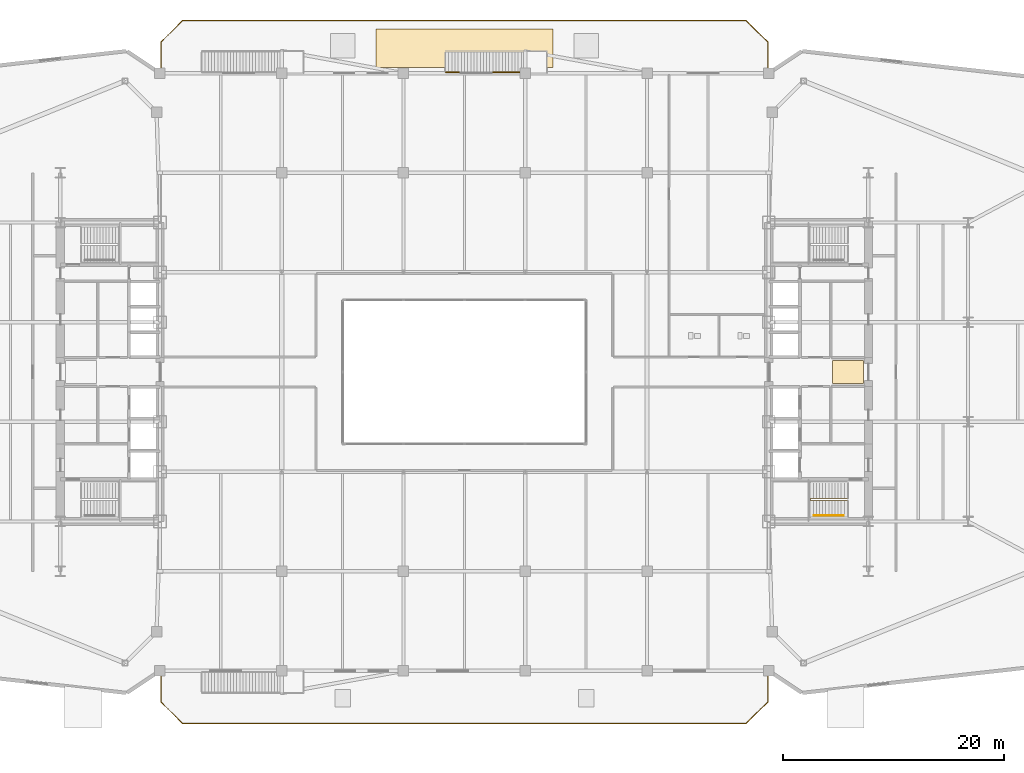
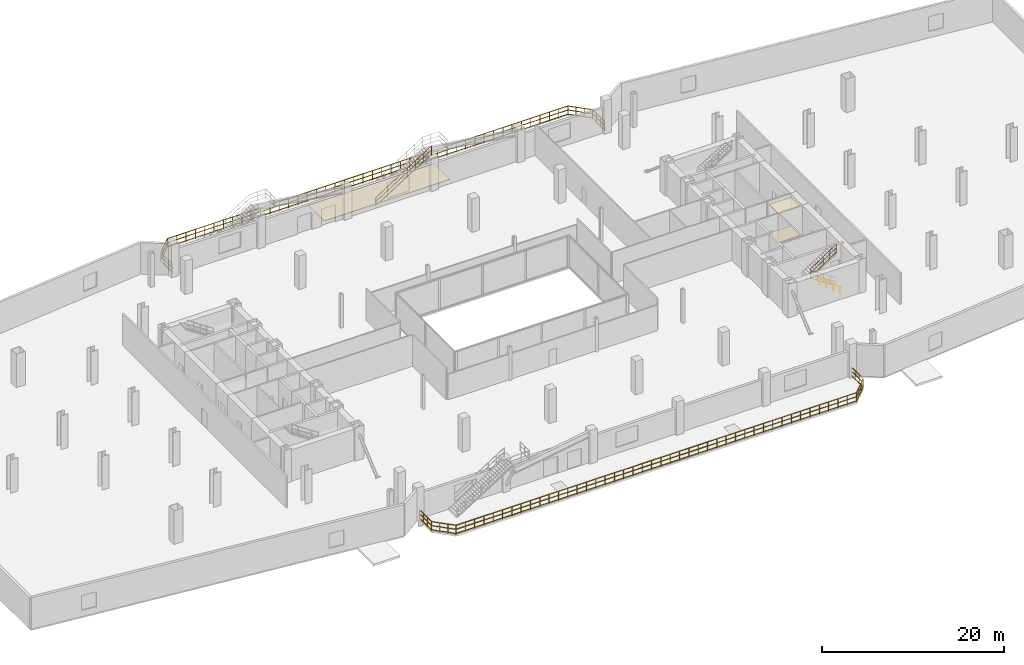
# One storey, part 23 of 25: 5 railings, 3 coverings.
"""IFC4 building model written with IfcOpenShell, lengths in metres."""

import ifcopenshell
import ifcopenshell.guid

model = None  # the IFC model being written
_history = None  # IfcOwnerHistory: only IFC2X3 demands one
_inside = {}  # id of a spatial element -> (the spatial element, [elements in it])
_under = {}  # id of a project, library or spatial element -> (it, [spatial elements below it])
_declared = {}  # id of a project -> (the project, [libraries it declares])
_typed = {}  # id of a type object -> (the type object, [elements of that type])
_made_of = {}  # id of a material, layer set ... -> (it, [elements and type objects made of it])


def new_model(schema):
    """Start an empty IFC model of exactly this schema.

    Asked for "IFC4X3", IfcOpenShell would pick the latest addendum, in which some entities
    have other attributes; the version numbers below select the first issue.
    IFC2X3 requires an IfcOwnerHistory on every rooted entity: one is made here for all.
    """
    global model, _history
    if schema == "IFC4X3":
        model = ifcopenshell.file(schema_version=(4, 3, 0, 0))
    else:
        model = ifcopenshell.file(schema=schema)
    _inside.clear()
    _under.clear()
    _declared.clear()
    _typed.clear()
    _made_of.clear()
    _history = None
    if model.schema == "IFC2X3":
        org = make("IfcOrganization", Name="unknown")
        user = make(
            "IfcPersonAndOrganization",
            ThePerson=make("IfcPerson", FamilyName="unknown"),
            TheOrganization=org,
        )
        app = make(
            "IfcApplication",
            ApplicationDeveloper=org,
            Version="unknown",
            ApplicationFullName="unknown",
            ApplicationIdentifier="unknown",
        )
        _history = make(
            "IfcOwnerHistory",
            OwningUser=user,
            OwningApplication=app,
            ChangeAction="ADDED",
            CreationDate=0,
        )
    return model


def make(cls, **values):
    """One entity of the class cls with the attributes given. An attribute that is None is left unset."""
    return model.create_entity(
        cls, **{name: value for name, value in values.items() if value is not None}
    )


def rooted(cls, **values):
    """An entity with a GlobalId (a new one), such as an element, a storey or a relation."""
    return make(cls, GlobalId=ifcopenshell.guid.new(), OwnerHistory=_history, **values)


def si_unit(unit_type, name, prefix=None):
    """IfcSIUnit, for example si_unit("LENGTHUNIT", "METRE", prefix="MILLI")."""
    return make("IfcSIUnit", UnitType=unit_type, Prefix=prefix, Name=name)


def assignment(units):
    """IfcUnitAssignment: the units of a project."""
    return None if units is None else make("IfcUnitAssignment", Units=units)


def point(xyz):
    """IfcCartesianPoint."""
    return None if xyz is None else make("IfcCartesianPoint", Coordinates=xyz)


def direction(xyz):
    """IfcDirection."""
    return None if xyz is None else make("IfcDirection", DirectionRatios=xyz)


def frame(location, z_axis=None, x_axis=None):
    """IfcAxis2Placement3D, a coordinate frame: its origin and axes. An axis left out is left unset."""
    return make(
        "IfcAxis2Placement3D",
        Location=point(location),
        Axis=direction(z_axis),
        RefDirection=direction(x_axis),
    )


def frame_2d(location, x_axis=None):
    """IfcAxis2Placement2D, a coordinate frame in the plane: its origin and x axis."""
    return make(
        "IfcAxis2Placement2D", Location=point(location), RefDirection=direction(x_axis)
    )


def origin():
    """The frame at (0, 0, 0) with its axes left unset."""
    return frame((0.0, 0.0, 0.0))


def origin_2d():
    """The frame at (0, 0) in the plane with its x axis left unset."""
    return frame_2d((0.0, 0.0))


def place(relative_to, where):
    """IfcLocalPlacement: puts the frame where relative to a parent placement (None: the world)."""
    return make(
        "IfcLocalPlacement", PlacementRelTo=relative_to, RelativePlacement=where
    )


def context(
    kind, dimensions, precision=None, world=None, true_north=None, identifier=None
):
    """IfcGeometricRepresentationContext, for example the 3D "Model" context."""
    return make(
        "IfcGeometricRepresentationContext",
        ContextIdentifier=identifier,
        ContextType=kind,
        CoordinateSpaceDimension=dimensions,
        Precision=precision,
        WorldCoordinateSystem=world,
        TrueNorth=true_north,
    )


def subcontext(parent, identifier, kind, view, scale=None):
    """IfcGeometricRepresentationSubContext, for example "Body" below "Model"."""
    return make(
        "IfcGeometricRepresentationSubContext",
        ContextIdentifier=identifier,
        ContextType=kind,
        ParentContext=parent,
        TargetScale=scale,
        TargetView=view,
    )


def project(units=None, contexts=None):
    """IfcProject with its units and contexts."""
    return rooted(
        "IfcProject",
        Name="project",
        RepresentationContexts=contexts,
        UnitsInContext=assignment(units),
    )


def spatial(cls, under=None, at=None, **own):
    """A site, building, storey or space (cls), placed at a placement, below another one or the project."""
    s = rooted(cls, ObjectPlacement=at, **own)
    if under is not None:
        _under.setdefault(under.id(), (under, []))[1].append(s)
    return s


def polyline(points):
    """IfcPolyline through the points."""
    return make("IfcPolyline", Points=[point(p) for p in points])


def profile(cls, at=None, kind="AREA", **sizes):
    """A parametric profile (cls). Its sizes go by their IFC names, for example OverallWidth=200.0."""
    return make(cls, ProfileType=kind, Position=at, **sizes)


def circle(**sizes):
    """IfcCircleProfileDef."""
    return profile("IfcCircleProfileDef", **sizes)


def outline(outer, holes=None, kind="AREA"):
    """IfcArbitraryClosedProfileDef: a profile drawn as a closed curve; with holes, ...WithVoids."""
    if holes is None:
        return make("IfcArbitraryClosedProfileDef", ProfileType=kind, OuterCurve=outer)
    return make(
        "IfcArbitraryProfileDefWithVoids",
        ProfileType=kind,
        OuterCurve=outer,
        InnerCurves=holes,
    )


def extrude(swept, where, along, depth):
    """IfcExtrudedAreaSolid: the profile swept, set in the frame where, extruded along a direction by depth."""
    return make(
        "IfcExtrudedAreaSolid",
        SweptArea=swept,
        Position=where,
        ExtrudedDirection=direction(along),
        Depth=depth,
    )


def shape(context_of_items, identifier, shape_type, items):
    """IfcShapeRepresentation: the items that make up one representation, for example the "Body"."""
    return make(
        "IfcShapeRepresentation",
        ContextOfItems=context_of_items,
        RepresentationIdentifier=identifier,
        RepresentationType=shape_type,
        Items=items,
    )


def material(Name=None, Category=None):
    """IfcMaterial."""
    return make("IfcMaterial", Name=Name, Category=Category)


def layer(
    of_material, thickness, ventilated=None, Name=None, Category=None, Priority=None
):
    """IfcMaterialLayer: one layer of a wall or slab, of a material (None: an air gap)."""
    return make(
        "IfcMaterialLayer",
        Material=of_material,
        LayerThickness=thickness,
        IsVentilated=ventilated,
        Name=Name,
        Category=Category,
        Priority=Priority,
    )


def layer_set(layers, Name=None):
    """IfcMaterialLayerSet."""
    return make("IfcMaterialLayerSet", MaterialLayers=layers, LayerSetName=Name)


def made_of(thing, what):
    """Note that an element or type object is made of a material, layer set ...; save() writes the relation."""
    if what is not None:
        _made_of.setdefault(what.id(), (what, []))[1].append(thing)
    return thing


def type_object(cls, material=None, **own):
    """A type object (cls), such as IfcWallType, which elements share."""
    return made_of(rooted(cls, **own), material)


def element(
    cls,
    number,
    at=None,
    inside=None,
    cuts=None,
    type_object=None,
    material=None,
    context=None,
    identifier="Body",
    shape_type=None,
    held_by="IfcProductDefinitionShape",
    body=None,
    shapes=None,
    **own,
):
    """One element of the class cls, such as IfcWall. Its Tag is "e" and its number.

    at: its placement. inside: the storey or other place that contains it. cuts: it is an
    opening in that element (IfcRelVoidsElement). A single representation is given by context,
    identifier, shape_type and body (its items); several are given by shapes. held_by: the class
    of the entity that holds the representations. save() writes the other relations.
    """
    e = rooted(cls, Tag="e%d" % number, ObjectPlacement=at, **own)
    if body is not None:
        shapes = [shape(context, identifier, shape_type, body)]
    if shapes is not None:
        e.Representation = make(held_by, Representations=shapes)
    if inside is not None:
        _inside.setdefault(inside.id(), (inside, []))[1].append(e)
    if cuts is not None:
        rooted(
            "IfcRelVoidsElement", RelatingBuildingElement=cuts, RelatedOpeningElement=e
        )
    if type_object is not None:
        _typed.setdefault(type_object.id(), (type_object, []))[1].append(e)
    return made_of(e, material)


def aggregate(whole, parts):
    """IfcRelAggregates: a whole, such as a stair, and the parts it consists of."""
    return rooted("IfcRelAggregates", RelatingObject=whole, RelatedObjects=parts)


def save(model, path):
    """Write the relations noted so far, then the file.

    IfcRelAggregates (storeys below a building ...), IfcRelContainedInSpatialStructure (elements
    in a storey), IfcRelDefinesByType, IfcRelAssociatesMaterial and IfcRelDeclares: one each for
    every whole, place, type object, material and project.
    """
    for whole, parts in _under.values():
        aggregate(whole, parts)
    for where, things in _inside.values():
        rooted(
            "IfcRelContainedInSpatialStructure",
            RelatedElements=things,
            RelatingStructure=where,
        )
    for kind, things in _typed.values():
        rooted("IfcRelDefinesByType", RelatedObjects=things, RelatingType=kind)
    for what, things in _made_of.values():
        rooted("IfcRelAssociatesMaterial", RelatedObjects=things, RelatingMaterial=what)
    for by, libraries in _declared.values():
        rooted("IfcRelDeclares", RelatingContext=by, RelatedDefinitions=libraries)
    model.write(path)


model = new_model("IFC4")

# Units and contexts
model_context = context("Model", 3, precision=1e-05, world=origin(), true_north=direction((0.0, 1.0)))
body_context = subcontext(model_context, "Body", "Model", "MODEL_VIEW")
ifc_project = project(units=[si_unit("LENGTHUNIT", "METRE"), si_unit("AREAUNIT", "SQUARE_METRE"), si_unit("VOLUMEUNIT", "CUBIC_METRE"), si_unit("PLANEANGLEUNIT", "RADIAN"), si_unit("MASSUNIT", "GRAM", prefix="KILO")], contexts=[model_context])

# Site, building, storey
site_placement = place(None, origin())
site = spatial("IfcSite", under=ifc_project, at=site_placement, CompositionType="ELEMENT")
building_placement = place(site_placement, origin())
building = spatial("IfcBuilding", under=site, at=building_placement, Name="Seokmaru Belvedere", CompositionType="ELEMENT")
storey_placement = place(building_placement, frame((0.0, 0.0, 5.39990234375)))
storey = spatial("IfcBuildingStorey", under=building, at=storey_placement, Name="L01", CompositionType="ELEMENT", Elevation=5.39990234375)

# Coverings
ifc_material_1 = material(Name="Honed Incheon Granite Stone", Category="masonry")
ifc_layer_1 = layer(ifc_material_1, 0.030029296875)
ifc_layer_set_1 = layer_set([ifc_layer_1], Name="Honed Incheon Granite Stone")
covering_type_1 = type_object("IfcCoveringType", Name="Honed Granite Lobby Floor Finish 30", PredefinedType="FLOORING", material=ifc_layer_set_1)
covering_1_placement = place(storey_placement, origin())
element("IfcCovering", 1, at=covering_1_placement, inside=storey, type_object=covering_type_1, Name="L01 E Foyer Floor Finish", PredefinedType="FLOORING", context=body_context, shape_type="SweptSolid", body=[
    extrude(outline(polyline([(33.25, -1.050048828125), (36.050048828125, -1.050048828125), (36.050048828125, 1.050048828125), (33.25, 1.050048828125), (33.25, -1.050048828125)])), origin(), (0.0, 0.0, 1.0), 0.030029296875),
])
ifc_material_2 = material(Name="Insulated Elastomeric Roof Membrane")
ifc_layer_2 = layer(ifc_material_2, 0.06005859375)
ifc_layer_set_2 = layer_set([ifc_layer_2], Name="Insulated Elastomeric Roof Membrane")
covering_type_2 = type_object("IfcCoveringType", Name="Inverted Insulated Elastomeric Roof Membrane 60", PredefinedType="ROOFING", material=ifc_layer_set_2)
covering_2_placement = place(storey_placement, origin())
element("IfcCovering", 2, at=covering_2_placement, inside=storey, type_object=covering_type_2, Name="L01 Planted Terrace Waterproofing Membrane", PredefinedType="ROOFING", context=body_context, shape_type="SweptSolid", body=[
    extrude(outline(polyline([(-8.0, 27.5), (8.0, 27.5), (8.0, 31.0), (-8.0, 31.0), (-8.0, 27.5)])), origin(), (0.0, 0.0, 1.0), 0.06005859375),
])
ifc_material_3 = material(Name="Fire-Rated Gypsum Shaftwall")
ifc_layer_3 = layer(ifc_material_3, 0.02490234375)
ifc_layer_set_3 = layer_set([ifc_layer_3], Name="Fire-Rated Gypsum Shaftwall")
covering_type_3 = type_object("IfcCoveringType", Name="Perforated Acoustic Gypsum Suspended Ceiling 25", PredefinedType="CEILING", material=ifc_layer_set_3)
covering_3_placement = place(storey_placement, frame((0.0, 0.0, 3.8701171875)))
element("IfcCovering", 3, at=covering_3_placement, inside=storey, type_object=covering_type_3, Name="L01 E Lift Foyer Acoustic Ceiling", PredefinedType="CEILING", context=body_context, shape_type="SweptSolid", body=[
    extrude(outline(polyline([(33.25, -1.050048828125), (36.050048828125, -1.050048828125), (36.050048828125, 1.050048828125), (33.25, 1.050048828125), (33.25, -1.050048828125)])), origin(), (0.0, 0.0, 1.0), 0.02490234375),
])

# Railings
ifc_material_4 = material(Name="Stainless Steel 316", Category="steel")
railing_type_1 = type_object("IfcRailingType", Name="Podium Garden Terrace Guardrail 1250", PredefinedType="GUARDRAIL", material=ifc_material_4)
railing_1_placement = place(storey_placement, frame((-27.419921875, -27.159912109375, 0.0)))
element("IfcRailing", 4, at=railing_1_placement, inside=storey, type_object=railing_type_1, Name="L01 South Cascading Terrace Guardrail", PredefinedType="GUARDRAIL", context=body_context, shape_type="SweptSolid", body=[
    extrude(circle(Radius=0.02392578125, at=origin_2d()), frame((0.0, 0.0, 1.22607421875), z_axis=(0.0, -1.0, 0.0), x_axis=(1.0, 0.0, 0.0)), (0.0, 0.0, 1.0), 2.64013671875),
    extrude(circle(Radius=0.02392578125, at=origin_2d()), frame((0.0, 0.0, 0.1201171875), z_axis=(0.0, -1.0, 0.0), x_axis=(1.0, 0.0, 0.0)), (0.0, 0.0, 1.0), 2.64013671875),
    extrude(circle(Radius=0.02392578125, at=origin_2d()), frame((0.0, 0.0, 0.6875), z_axis=(0.0, -1.0, 0.0), x_axis=(1.0, 0.0, 0.0)), (0.0, 0.0, 1.0), 2.64013671875),
    extrude(circle(Radius=0.02392578125, at=origin_2d()), frame((0.0, -2.64013671875, 1.22607421875), z_axis=(0.710708795399, -0.703486324062, 0.0), x_axis=(0.703486324062, 0.710708795399, 0.0)), (0.0, 0.0, 1.0), 2.771728515625),
    extrude(circle(Radius=0.02392578125, at=origin_2d()), frame((0.0, -2.64013671875, 0.1201171875), z_axis=(0.710708795399, -0.703486324062, 0.0), x_axis=(0.703486324062, 0.710708795399, 0.0)), (0.0, 0.0, 1.0), 2.771728515625),
    extrude(circle(Radius=0.02392578125, at=origin_2d()), frame((0.0, -2.64013671875, 0.6875), z_axis=(0.710708795399, -0.703486324062, 0.0), x_axis=(0.703486324062, 0.710708795399, 0.0)), (0.0, 0.0, 1.0), 2.771728515625),
    extrude(circle(Radius=0.02392578125, at=origin_2d()), frame((1.969970703125, -4.590087890625, 1.22607421875), z_axis=(1.0, 0.0, 0.0), x_axis=(0.0, 1.0, 0.0)), (0.0, 0.0, 1.0), 50.89990234375),
    extrude(circle(Radius=0.02392578125, at=origin_2d()), frame((1.969970703125, -4.590087890625, 0.1201171875), z_axis=(1.0, 0.0, 0.0), x_axis=(0.0, 1.0, 0.0)), (0.0, 0.0, 1.0), 50.89990234375),
    extrude(circle(Radius=0.02392578125, at=origin_2d()), frame((1.969970703125, -4.590087890625, 0.6875), z_axis=(1.0, 0.0, 0.0), x_axis=(0.0, 1.0, 0.0)), (0.0, 0.0, 1.0), 50.89990234375),
    extrude(circle(Radius=0.02392578125, at=origin_2d()), frame((52.869873046875, -4.590087890625, 1.22607421875), z_axis=(0.710708795399, 0.703486324062, 0.0), x_axis=(-0.703486324062, 0.710708795399, 0.0)), (0.0, 0.0, 1.0), 2.771728515625),
    extrude(circle(Radius=0.02392578125, at=origin_2d()), frame((52.869873046875, -4.590087890625, 0.1201171875), z_axis=(0.710708795399, 0.703486324062, 0.0), x_axis=(-0.703486324062, 0.710708795399, 0.0)), (0.0, 0.0, 1.0), 2.771728515625),
    extrude(circle(Radius=0.02392578125, at=origin_2d()), frame((52.869873046875, -4.590087890625, 0.6875), z_axis=(0.710708795399, 0.703486324062, 0.0), x_axis=(-0.703486324062, 0.710708795399, 0.0)), (0.0, 0.0, 1.0), 2.771728515625),
    extrude(circle(Radius=0.02392578125, at=origin_2d()), frame((54.83984375, -2.64013671875, 1.22607421875), z_axis=(0.0, 1.0, 0.0), x_axis=(-1.0, 0.0, 0.0)), (0.0, 0.0, 1.0), 2.64013671875),
    extrude(circle(Radius=0.02392578125, at=origin_2d()), frame((54.83984375, -2.64013671875, 0.1201171875), z_axis=(0.0, 1.0, 0.0), x_axis=(-1.0, 0.0, 0.0)), (0.0, 0.0, 1.0), 2.64013671875),
    extrude(circle(Radius=0.02392578125, at=origin_2d()), frame((54.83984375, -2.64013671875, 0.6875), z_axis=(0.0, 1.0, 0.0), x_axis=(-1.0, 0.0, 0.0)), (0.0, 0.0, 1.0), 2.64013671875),
    extrude(circle(Radius=0.02099609375, at=origin_2d()), origin(), (0.0, 0.0, 1.0), 1.201904296875),
    extrude(circle(Radius=0.02099609375, at=origin_2d()), frame((0.0, -0.880126953125, 0.0)), (0.0, 0.0, 1.0), 1.201904296875),
    extrude(circle(Radius=0.02099609375, at=origin_2d()), frame((0.0, -1.760009765625, 0.0)), (0.0, 0.0, 1.0), 1.201904296875),
    extrude(circle(Radius=0.02099609375, at=origin_2d()), frame((0.0, -2.64013671875, 0.0)), (0.0, 0.0, 1.0), 1.201904296875),
    extrude(circle(Radius=0.02099609375, at=origin_2d()), frame((0.65673828125, -3.2900390625, 0.0)), (0.0, 0.0, 1.0), 1.201904296875),
    extrude(circle(Radius=0.02099609375, at=origin_2d()), frame((1.313232421875, -3.940185546875, 0.0)), (0.0, 0.0, 1.0), 1.201904296875),
    extrude(circle(Radius=0.02099609375, at=origin_2d()), frame((1.969970703125, -4.590087890625, 0.0)), (0.0, 0.0, 1.0), 1.201904296875),
    extrude(circle(Radius=0.02099609375, at=origin_2d()), frame((3.15380859375, -4.590087890625, 0.0)), (0.0, 0.0, 1.0), 1.201904296875),
    extrude(circle(Radius=0.02099609375, at=origin_2d()), frame((4.33740234375, -4.590087890625, 0.0)), (0.0, 0.0, 1.0), 1.201904296875),
    extrude(circle(Radius=0.02099609375, at=origin_2d()), frame((5.521240234375, -4.590087890625, 0.0)), (0.0, 0.0, 1.0), 1.201904296875),
    extrude(circle(Radius=0.02099609375, at=origin_2d()), frame((6.704833984375, -4.590087890625, 0.0)), (0.0, 0.0, 1.0), 1.201904296875),
    extrude(circle(Radius=0.02099609375, at=origin_2d()), frame((7.888671875, -4.590087890625, 0.0)), (0.0, 0.0, 1.0), 1.201904296875),
    extrude(circle(Radius=0.02099609375, at=origin_2d()), frame((9.072265625, -4.590087890625, 0.0)), (0.0, 0.0, 1.0), 1.201904296875),
    extrude(circle(Radius=0.02099609375, at=origin_2d()), frame((10.256103515625, -4.590087890625, 0.0)), (0.0, 0.0, 1.0), 1.201904296875),
    extrude(circle(Radius=0.02099609375, at=origin_2d()), frame((11.439697265625, -4.590087890625, 0.0)), (0.0, 0.0, 1.0), 1.201904296875),
    extrude(circle(Radius=0.02099609375, at=origin_2d()), frame((12.62353515625, -4.590087890625, 0.0)), (0.0, 0.0, 1.0), 1.201904296875),
    extrude(circle(Radius=0.02099609375, at=origin_2d()), frame((13.80712890625, -4.590087890625, 0.0)), (0.0, 0.0, 1.0), 1.201904296875),
    extrude(circle(Radius=0.02099609375, at=origin_2d()), frame((14.990966796875, -4.590087890625, 0.0)), (0.0, 0.0, 1.0), 1.201904296875),
    extrude(circle(Radius=0.02099609375, at=origin_2d()), frame((16.174560546875, -4.590087890625, 0.0)), (0.0, 0.0, 1.0), 1.201904296875),
    extrude(circle(Radius=0.02099609375, at=origin_2d()), frame((17.3583984375, -4.590087890625, 0.0)), (0.0, 0.0, 1.0), 1.201904296875),
    extrude(circle(Radius=0.02099609375, at=origin_2d()), frame((18.5419921875, -4.590087890625, 0.0)), (0.0, 0.0, 1.0), 1.201904296875),
    extrude(circle(Radius=0.02099609375, at=origin_2d()), frame((19.725830078125, -4.590087890625, 0.0)), (0.0, 0.0, 1.0), 1.201904296875),
    extrude(circle(Radius=0.02099609375, at=origin_2d()), frame((20.909423828125, -4.590087890625, 0.0)), (0.0, 0.0, 1.0), 1.201904296875),
    extrude(circle(Radius=0.02099609375, at=origin_2d()), frame((22.09326171875, -4.590087890625, 0.0)), (0.0, 0.0, 1.0), 1.201904296875),
    extrude(circle(Radius=0.02099609375, at=origin_2d()), frame((23.27685546875, -4.590087890625, 0.0)), (0.0, 0.0, 1.0), 1.201904296875),
    extrude(circle(Radius=0.02099609375, at=origin_2d()), frame((24.460693359375, -4.590087890625, 0.0)), (0.0, 0.0, 1.0), 1.201904296875),
    extrude(circle(Radius=0.02099609375, at=origin_2d()), frame((25.644287109375, -4.590087890625, 0.0)), (0.0, 0.0, 1.0), 1.201904296875),
    extrude(circle(Radius=0.02099609375, at=origin_2d()), frame((26.828125, -4.590087890625, 0.0)), (0.0, 0.0, 1.0), 1.201904296875),
    extrude(circle(Radius=0.02099609375, at=origin_2d()), frame((28.01171875, -4.590087890625, 0.0)), (0.0, 0.0, 1.0), 1.201904296875),
    extrude(circle(Radius=0.02099609375, at=origin_2d()), frame((29.195556640625, -4.590087890625, 0.0)), (0.0, 0.0, 1.0), 1.201904296875),
    extrude(circle(Radius=0.02099609375, at=origin_2d()), frame((30.379150390625, -4.590087890625, 0.0)), (0.0, 0.0, 1.0), 1.201904296875),
    extrude(circle(Radius=0.02099609375, at=origin_2d()), frame((31.56298828125, -4.590087890625, 0.0)), (0.0, 0.0, 1.0), 1.201904296875),
    extrude(circle(Radius=0.02099609375, at=origin_2d()), frame((32.74658203125, -4.590087890625, 0.0)), (0.0, 0.0, 1.0), 1.201904296875),
    extrude(circle(Radius=0.02099609375, at=origin_2d()), frame((33.930419921875, -4.590087890625, 0.0)), (0.0, 0.0, 1.0), 1.201904296875),
    extrude(circle(Radius=0.02099609375, at=origin_2d()), frame((35.114013671875, -4.590087890625, 0.0)), (0.0, 0.0, 1.0), 1.201904296875),
    extrude(circle(Radius=0.02099609375, at=origin_2d()), frame((36.2978515625, -4.590087890625, 0.0)), (0.0, 0.0, 1.0), 1.201904296875),
    extrude(circle(Radius=0.02099609375, at=origin_2d()), frame((37.4814453125, -4.590087890625, 0.0)), (0.0, 0.0, 1.0), 1.201904296875),
    extrude(circle(Radius=0.02099609375, at=origin_2d()), frame((38.665283203125, -4.590087890625, 0.0)), (0.0, 0.0, 1.0), 1.201904296875),
    extrude(circle(Radius=0.02099609375, at=origin_2d()), frame((39.848876953125, -4.590087890625, 0.0)), (0.0, 0.0, 1.0), 1.201904296875),
    extrude(circle(Radius=0.02099609375, at=origin_2d()), frame((41.03271484375, -4.590087890625, 0.0)), (0.0, 0.0, 1.0), 1.201904296875),
    extrude(circle(Radius=0.02099609375, at=origin_2d()), frame((42.21630859375, -4.590087890625, 0.0)), (0.0, 0.0, 1.0), 1.201904296875),
    extrude(circle(Radius=0.02099609375, at=origin_2d()), frame((43.400146484375, -4.590087890625, 0.0)), (0.0, 0.0, 1.0), 1.201904296875),
    extrude(circle(Radius=0.02099609375, at=origin_2d()), frame((44.583740234375, -4.590087890625, 0.0)), (0.0, 0.0, 1.0), 1.201904296875),
    extrude(circle(Radius=0.02099609375, at=origin_2d()), frame((45.767578125, -4.590087890625, 0.0)), (0.0, 0.0, 1.0), 1.201904296875),
    extrude(circle(Radius=0.02099609375, at=origin_2d()), frame((46.951171875, -4.590087890625, 0.0)), (0.0, 0.0, 1.0), 1.201904296875),
    extrude(circle(Radius=0.02099609375, at=origin_2d()), frame((48.135009765625, -4.590087890625, 0.0)), (0.0, 0.0, 1.0), 1.201904296875),
    extrude(circle(Radius=0.02099609375, at=origin_2d()), frame((49.318603515625, -4.590087890625, 0.0)), (0.0, 0.0, 1.0), 1.201904296875),
    extrude(circle(Radius=0.02099609375, at=origin_2d()), frame((50.50244140625, -4.590087890625, 0.0)), (0.0, 0.0, 1.0), 1.201904296875),
    extrude(circle(Radius=0.02099609375, at=origin_2d()), frame((51.68603515625, -4.590087890625, 0.0)), (0.0, 0.0, 1.0), 1.201904296875),
    extrude(circle(Radius=0.02099609375, at=origin_2d()), frame((52.869873046875, -4.590087890625, 0.0)), (0.0, 0.0, 1.0), 1.201904296875),
    extrude(circle(Radius=0.02099609375, at=origin_2d()), frame((53.526611328125, -3.940185546875, 0.0)), (0.0, 0.0, 1.0), 1.201904296875),
    extrude(circle(Radius=0.02099609375, at=origin_2d()), frame((54.18310546875, -3.2900390625, 0.0)), (0.0, 0.0, 1.0), 1.201904296875),
    extrude(circle(Radius=0.02099609375, at=origin_2d()), frame((54.83984375, -2.64013671875, 0.0)), (0.0, 0.0, 1.0), 1.201904296875),
    extrude(circle(Radius=0.02099609375, at=origin_2d()), frame((54.83984375, -1.760009765625, 0.0)), (0.0, 0.0, 1.0), 1.201904296875),
    extrude(circle(Radius=0.02099609375, at=origin_2d()), frame((54.83984375, -0.880126953125, 0.0)), (0.0, 0.0, 1.0), 1.201904296875),
    extrude(circle(Radius=0.02099609375, at=origin_2d()), frame((54.83984375, 0.0, 0.0)), (0.0, 0.0, 1.0), 1.201904296875),
])
railing_2_placement = place(storey_placement, frame((-27.419921875, 27.159912109375, 0.0)))
element("IfcRailing", 5, at=railing_2_placement, inside=storey, type_object=railing_type_1, Name="L01 North Cascading Terrace Guardrail", PredefinedType="GUARDRAIL", context=body_context, shape_type="SweptSolid", body=[
    extrude(circle(Radius=0.02392578125, at=origin_2d()), frame((0.0, 0.0, 1.22607421875), z_axis=(0.0, 1.0, 0.0), x_axis=(-1.0, 0.0, 0.0)), (0.0, 0.0, 1.0), 2.64013671875),
    extrude(circle(Radius=0.02392578125, at=origin_2d()), frame((0.0, 0.0, 0.1201171875), z_axis=(0.0, 1.0, 0.0), x_axis=(-1.0, 0.0, 0.0)), (0.0, 0.0, 1.0), 2.64013671875),
    extrude(circle(Radius=0.02392578125, at=origin_2d()), frame((0.0, 0.0, 0.6875), z_axis=(0.0, 1.0, 0.0), x_axis=(-1.0, 0.0, 0.0)), (0.0, 0.0, 1.0), 2.64013671875),
    extrude(circle(Radius=0.02392578125, at=origin_2d()), frame((0.0, 2.64013671875, 1.22607421875), z_axis=(0.710708795399, 0.703486324062, 0.0), x_axis=(-0.703486324062, 0.710708795399, 0.0)), (0.0, 0.0, 1.0), 2.771728515625),
    extrude(circle(Radius=0.02392578125, at=origin_2d()), frame((0.0, 2.64013671875, 0.1201171875), z_axis=(0.710708795399, 0.703486324062, 0.0), x_axis=(-0.703486324062, 0.710708795399, 0.0)), (0.0, 0.0, 1.0), 2.771728515625),
    extrude(circle(Radius=0.02392578125, at=origin_2d()), frame((0.0, 2.64013671875, 0.6875), z_axis=(0.710708795399, 0.703486324062, 0.0), x_axis=(-0.703486324062, 0.710708795399, 0.0)), (0.0, 0.0, 1.0), 2.771728515625),
    extrude(circle(Radius=0.02392578125, at=origin_2d()), frame((1.969970703125, 4.590087890625, 1.22607421875), z_axis=(1.0, 0.0, 0.0), x_axis=(0.0, 1.0, 0.0)), (0.0, 0.0, 1.0), 50.89990234375),
    extrude(circle(Radius=0.02392578125, at=origin_2d()), frame((1.969970703125, 4.590087890625, 0.1201171875), z_axis=(1.0, 0.0, 0.0), x_axis=(0.0, 1.0, 0.0)), (0.0, 0.0, 1.0), 50.89990234375),
    extrude(circle(Radius=0.02392578125, at=origin_2d()), frame((1.969970703125, 4.590087890625, 0.6875), z_axis=(1.0, 0.0, 0.0), x_axis=(0.0, 1.0, 0.0)), (0.0, 0.0, 1.0), 50.89990234375),
    extrude(circle(Radius=0.02392578125, at=origin_2d()), frame((52.869873046875, 4.590087890625, 1.22607421875), z_axis=(0.710708795399, -0.703486324062, 0.0), x_axis=(0.703486324062, 0.710708795399, 0.0)), (0.0, 0.0, 1.0), 2.771728515625),
    extrude(circle(Radius=0.02392578125, at=origin_2d()), frame((52.869873046875, 4.590087890625, 0.1201171875), z_axis=(0.710708795399, -0.703486324062, 0.0), x_axis=(0.703486324062, 0.710708795399, 0.0)), (0.0, 0.0, 1.0), 2.771728515625),
    extrude(circle(Radius=0.02392578125, at=origin_2d()), frame((52.869873046875, 4.590087890625, 0.6875), z_axis=(0.710708795399, -0.703486324062, 0.0), x_axis=(0.703486324062, 0.710708795399, 0.0)), (0.0, 0.0, 1.0), 2.771728515625),
    extrude(circle(Radius=0.02392578125, at=origin_2d()), frame((54.83984375, 2.64013671875, 1.22607421875), z_axis=(0.0, -1.0, 0.0), x_axis=(1.0, 0.0, 0.0)), (0.0, 0.0, 1.0), 2.64013671875),
    extrude(circle(Radius=0.02392578125, at=origin_2d()), frame((54.83984375, 2.64013671875, 0.1201171875), z_axis=(0.0, -1.0, 0.0), x_axis=(1.0, 0.0, 0.0)), (0.0, 0.0, 1.0), 2.64013671875),
    extrude(circle(Radius=0.02392578125, at=origin_2d()), frame((54.83984375, 2.64013671875, 0.6875), z_axis=(0.0, -1.0, 0.0), x_axis=(1.0, 0.0, 0.0)), (0.0, 0.0, 1.0), 2.64013671875),
    extrude(circle(Radius=0.02099609375, at=origin_2d()), origin(), (0.0, 0.0, 1.0), 1.201904296875),
    extrude(circle(Radius=0.02099609375, at=origin_2d()), frame((0.0, 0.880126953125, 0.0)), (0.0, 0.0, 1.0), 1.201904296875),
    extrude(circle(Radius=0.02099609375, at=origin_2d()), frame((0.0, 1.760009765625, 0.0)), (0.0, 0.0, 1.0), 1.201904296875),
    extrude(circle(Radius=0.02099609375, at=origin_2d()), frame((0.0, 2.64013671875, 0.0)), (0.0, 0.0, 1.0), 1.201904296875),
    extrude(circle(Radius=0.02099609375, at=origin_2d()), frame((0.65673828125, 3.2900390625, 0.0)), (0.0, 0.0, 1.0), 1.201904296875),
    extrude(circle(Radius=0.02099609375, at=origin_2d()), frame((1.313232421875, 3.940185546875, 0.0)), (0.0, 0.0, 1.0), 1.201904296875),
    extrude(circle(Radius=0.02099609375, at=origin_2d()), frame((1.969970703125, 4.590087890625, 0.0)), (0.0, 0.0, 1.0), 1.201904296875),
    extrude(circle(Radius=0.02099609375, at=origin_2d()), frame((3.15380859375, 4.590087890625, 0.0)), (0.0, 0.0, 1.0), 1.201904296875),
    extrude(circle(Radius=0.02099609375, at=origin_2d()), frame((4.33740234375, 4.590087890625, 0.0)), (0.0, 0.0, 1.0), 1.201904296875),
    extrude(circle(Radius=0.02099609375, at=origin_2d()), frame((5.521240234375, 4.590087890625, 0.0)), (0.0, 0.0, 1.0), 1.201904296875),
    extrude(circle(Radius=0.02099609375, at=origin_2d()), frame((6.704833984375, 4.590087890625, 0.0)), (0.0, 0.0, 1.0), 1.201904296875),
    extrude(circle(Radius=0.02099609375, at=origin_2d()), frame((7.888671875, 4.590087890625, 0.0)), (0.0, 0.0, 1.0), 1.201904296875),
    extrude(circle(Radius=0.02099609375, at=origin_2d()), frame((9.072265625, 4.590087890625, 0.0)), (0.0, 0.0, 1.0), 1.201904296875),
    extrude(circle(Radius=0.02099609375, at=origin_2d()), frame((10.256103515625, 4.590087890625, 0.0)), (0.0, 0.0, 1.0), 1.201904296875),
    extrude(circle(Radius=0.02099609375, at=origin_2d()), frame((11.439697265625, 4.590087890625, 0.0)), (0.0, 0.0, 1.0), 1.201904296875),
    extrude(circle(Radius=0.02099609375, at=origin_2d()), frame((12.62353515625, 4.590087890625, 0.0)), (0.0, 0.0, 1.0), 1.201904296875),
    extrude(circle(Radius=0.02099609375, at=origin_2d()), frame((13.80712890625, 4.590087890625, 0.0)), (0.0, 0.0, 1.0), 1.201904296875),
    extrude(circle(Radius=0.02099609375, at=origin_2d()), frame((14.990966796875, 4.590087890625, 0.0)), (0.0, 0.0, 1.0), 1.201904296875),
    extrude(circle(Radius=0.02099609375, at=origin_2d()), frame((16.174560546875, 4.590087890625, 0.0)), (0.0, 0.0, 1.0), 1.201904296875),
    extrude(circle(Radius=0.02099609375, at=origin_2d()), frame((17.3583984375, 4.590087890625, 0.0)), (0.0, 0.0, 1.0), 1.201904296875),
    extrude(circle(Radius=0.02099609375, at=origin_2d()), frame((18.5419921875, 4.590087890625, 0.0)), (0.0, 0.0, 1.0), 1.201904296875),
    extrude(circle(Radius=0.02099609375, at=origin_2d()), frame((19.725830078125, 4.590087890625, 0.0)), (0.0, 0.0, 1.0), 1.201904296875),
    extrude(circle(Radius=0.02099609375, at=origin_2d()), frame((20.909423828125, 4.590087890625, 0.0)), (0.0, 0.0, 1.0), 1.201904296875),
    extrude(circle(Radius=0.02099609375, at=origin_2d()), frame((22.09326171875, 4.590087890625, 0.0)), (0.0, 0.0, 1.0), 1.201904296875),
    extrude(circle(Radius=0.02099609375, at=origin_2d()), frame((23.27685546875, 4.590087890625, 0.0)), (0.0, 0.0, 1.0), 1.201904296875),
    extrude(circle(Radius=0.02099609375, at=origin_2d()), frame((24.460693359375, 4.590087890625, 0.0)), (0.0, 0.0, 1.0), 1.201904296875),
    extrude(circle(Radius=0.02099609375, at=origin_2d()), frame((25.644287109375, 4.590087890625, 0.0)), (0.0, 0.0, 1.0), 1.201904296875),
    extrude(circle(Radius=0.02099609375, at=origin_2d()), frame((26.828125, 4.590087890625, 0.0)), (0.0, 0.0, 1.0), 1.201904296875),
    extrude(circle(Radius=0.02099609375, at=origin_2d()), frame((28.01171875, 4.590087890625, 0.0)), (0.0, 0.0, 1.0), 1.201904296875),
    extrude(circle(Radius=0.02099609375, at=origin_2d()), frame((29.195556640625, 4.590087890625, 0.0)), (0.0, 0.0, 1.0), 1.201904296875),
    extrude(circle(Radius=0.02099609375, at=origin_2d()), frame((30.379150390625, 4.590087890625, 0.0)), (0.0, 0.0, 1.0), 1.201904296875),
    extrude(circle(Radius=0.02099609375, at=origin_2d()), frame((31.56298828125, 4.590087890625, 0.0)), (0.0, 0.0, 1.0), 1.201904296875),
    extrude(circle(Radius=0.02099609375, at=origin_2d()), frame((32.74658203125, 4.590087890625, 0.0)), (0.0, 0.0, 1.0), 1.201904296875),
    extrude(circle(Radius=0.02099609375, at=origin_2d()), frame((33.930419921875, 4.590087890625, 0.0)), (0.0, 0.0, 1.0), 1.201904296875),
    extrude(circle(Radius=0.02099609375, at=origin_2d()), frame((35.114013671875, 4.590087890625, 0.0)), (0.0, 0.0, 1.0), 1.201904296875),
    extrude(circle(Radius=0.02099609375, at=origin_2d()), frame((36.2978515625, 4.590087890625, 0.0)), (0.0, 0.0, 1.0), 1.201904296875),
    extrude(circle(Radius=0.02099609375, at=origin_2d()), frame((37.4814453125, 4.590087890625, 0.0)), (0.0, 0.0, 1.0), 1.201904296875),
    extrude(circle(Radius=0.02099609375, at=origin_2d()), frame((38.665283203125, 4.590087890625, 0.0)), (0.0, 0.0, 1.0), 1.201904296875),
    extrude(circle(Radius=0.02099609375, at=origin_2d()), frame((39.848876953125, 4.590087890625, 0.0)), (0.0, 0.0, 1.0), 1.201904296875),
    extrude(circle(Radius=0.02099609375, at=origin_2d()), frame((41.03271484375, 4.590087890625, 0.0)), (0.0, 0.0, 1.0), 1.201904296875),
    extrude(circle(Radius=0.02099609375, at=origin_2d()), frame((42.21630859375, 4.590087890625, 0.0)), (0.0, 0.0, 1.0), 1.201904296875),
    extrude(circle(Radius=0.02099609375, at=origin_2d()), frame((43.400146484375, 4.590087890625, 0.0)), (0.0, 0.0, 1.0), 1.201904296875),
    extrude(circle(Radius=0.02099609375, at=origin_2d()), frame((44.583740234375, 4.590087890625, 0.0)), (0.0, 0.0, 1.0), 1.201904296875),
    extrude(circle(Radius=0.02099609375, at=origin_2d()), frame((45.767578125, 4.590087890625, 0.0)), (0.0, 0.0, 1.0), 1.201904296875),
    extrude(circle(Radius=0.02099609375, at=origin_2d()), frame((46.951171875, 4.590087890625, 0.0)), (0.0, 0.0, 1.0), 1.201904296875),
    extrude(circle(Radius=0.02099609375, at=origin_2d()), frame((48.135009765625, 4.590087890625, 0.0)), (0.0, 0.0, 1.0), 1.201904296875),
    extrude(circle(Radius=0.02099609375, at=origin_2d()), frame((49.318603515625, 4.590087890625, 0.0)), (0.0, 0.0, 1.0), 1.201904296875),
    extrude(circle(Radius=0.02099609375, at=origin_2d()), frame((50.50244140625, 4.590087890625, 0.0)), (0.0, 0.0, 1.0), 1.201904296875),
    extrude(circle(Radius=0.02099609375, at=origin_2d()), frame((51.68603515625, 4.590087890625, 0.0)), (0.0, 0.0, 1.0), 1.201904296875),
    extrude(circle(Radius=0.02099609375, at=origin_2d()), frame((52.869873046875, 4.590087890625, 0.0)), (0.0, 0.0, 1.0), 1.201904296875),
    extrude(circle(Radius=0.02099609375, at=origin_2d()), frame((53.526611328125, 3.940185546875, 0.0)), (0.0, 0.0, 1.0), 1.201904296875),
    extrude(circle(Radius=0.02099609375, at=origin_2d()), frame((54.18310546875, 3.2900390625, 0.0)), (0.0, 0.0, 1.0), 1.201904296875),
    extrude(circle(Radius=0.02099609375, at=origin_2d()), frame((54.83984375, 2.64013671875, 0.0)), (0.0, 0.0, 1.0), 1.201904296875),
    extrude(circle(Radius=0.02099609375, at=origin_2d()), frame((54.83984375, 1.760009765625, 0.0)), (0.0, 0.0, 1.0), 1.201904296875),
    extrude(circle(Radius=0.02099609375, at=origin_2d()), frame((54.83984375, 0.880126953125, 0.0)), (0.0, 0.0, 1.0), 1.201904296875),
    extrude(circle(Radius=0.02099609375, at=origin_2d()), frame((54.83984375, 0.0, 0.0)), (0.0, 0.0, 1.0), 1.201904296875),
])
railing_3_placement = place(storey_placement, frame((-1.699951171875, 27.080078125, 0.0)))
element("IfcRailing", 6, at=railing_3_placement, inside=storey, type_object=railing_type_1, Name="L01 Terrace Stair Inner Guardrail N2", PredefinedType="GUARDRAIL", context=body_context, shape_type="SweptSolid", body=[
    extrude(circle(Radius=0.02392578125, at=origin_2d()), frame((0.0, 0.0, 1.22607421875), z_axis=(0.844125890914, 0.0, 0.536145017965), x_axis=(0.0, 1.0, 0.0)), (0.0, 0.0, 1.0), 8.393310546875),
    extrude(circle(Radius=0.02392578125, at=origin_2d()), frame((0.0, 0.0, 0.1201171875), z_axis=(0.844125890914, 0.0, 0.536145017965), x_axis=(0.0, 1.0, 0.0)), (0.0, 0.0, 1.0), 8.393310546875),
    extrude(circle(Radius=0.02392578125, at=origin_2d()), frame((0.0, 0.0, 0.6875), z_axis=(0.844125890914, 0.0, 0.536145017965), x_axis=(0.0, 1.0, 0.0)), (0.0, 0.0, 1.0), 8.393310546875),
    extrude(circle(Radius=0.02392578125, at=origin_2d()), frame((7.0849609375, 0.0, 5.72607421875), z_axis=(0.0, -1.0, 0.0), x_axis=(1.0, 0.0, 0.0)), (0.0, 0.0, 1.0), 0.06005859375),
    extrude(circle(Radius=0.02392578125, at=origin_2d()), frame((7.0849609375, 0.0, 4.6201171875), z_axis=(0.0, -1.0, 0.0), x_axis=(1.0, 0.0, 0.0)), (0.0, 0.0, 1.0), 0.06005859375),
    extrude(circle(Radius=0.02392578125, at=origin_2d()), frame((7.0849609375, 0.0, 5.1875), z_axis=(0.0, -1.0, 0.0), x_axis=(1.0, 0.0, 0.0)), (0.0, 0.0, 1.0), 0.06005859375),
    extrude(circle(Radius=0.02099609375, at=origin_2d()), origin(), (0.0, 0.0, 1.0), 1.201904296875),
    extrude(circle(Radius=0.02099609375, at=origin_2d()), frame((1.01220703125, 0.0, 0.642822265625)), (0.0, 0.0, 1.0), 1.201904296875),
    extrude(circle(Radius=0.02099609375, at=origin_2d()), frame((2.024169921875, 0.0, 1.28564453125)), (0.0, 0.0, 1.0), 1.201904296875),
    extrude(circle(Radius=0.02099609375, at=origin_2d()), frame((3.036376953125, 0.0, 1.928466796875)), (0.0, 0.0, 1.0), 1.201904296875),
    extrude(circle(Radius=0.02099609375, at=origin_2d()), frame((4.048583984375, 0.0, 2.571533203125)), (0.0, 0.0, 1.0), 1.201904296875),
    extrude(circle(Radius=0.02099609375, at=origin_2d()), frame((5.060791015625, 0.0, 3.21435546875)), (0.0, 0.0, 1.0), 1.201904296875),
    extrude(circle(Radius=0.02099609375, at=origin_2d()), frame((6.07275390625, 0.0, 3.857177734375)), (0.0, 0.0, 1.0), 1.201904296875),
    extrude(circle(Radius=0.02099609375, at=origin_2d()), frame((7.0849609375, 0.0, 4.5)), (0.0, 0.0, 1.0), 1.201904296875),
    extrude(circle(Radius=0.02099609375, at=origin_2d()), frame((7.0849609375, -0.06005859375, 4.5)), (0.0, 0.0, 1.0), 1.201904296875),
])
railing_type_2 = type_object("IfcRailingType", Name="Stainless Steel Wall and Flight Handrail 900", PredefinedType="HANDRAIL", material=ifc_material_4)
railing_4_placement = place(storey_placement, frame((34.25, -12.949951171875, 0.0)))
element("IfcRailing", 7, at=railing_4_placement, inside=storey, type_object=railing_type_2, Name="L01 Stair ST-E1 Wall Handrail", PredefinedType="HANDRAIL", context=body_context, shape_type="SweptSolid", body=[
    extrude(circle(Radius=0.02392578125, at=origin_2d()), frame((0.0, 0.0, 0.8759765625), z_axis=(-0.763484625413, 0.0, 0.64582600347), x_axis=(0.0, -1.0, 0.0)), (0.0, 0.0, 1.0), 3.48388671875),
    extrude(circle(Radius=0.02099609375, at=origin_2d()), origin(), (0.0, 0.0, 1.0), 0.851806640625),
    extrude(circle(Radius=0.02099609375, at=origin_2d()), frame((-0.88671875, 0.0, 0.75)), (0.0, 0.0, 1.0), 0.851806640625),
    extrude(circle(Radius=0.02099609375, at=origin_2d()), frame((-1.773193359375, 0.0, 1.5)), (0.0, 0.0, 1.0), 0.851806640625),
    extrude(circle(Radius=0.02099609375, at=origin_2d()), frame((-2.659912109375, 0.0, 2.25)), (0.0, 0.0, 1.0), 0.851806640625),
])
railing_type_3 = type_object("IfcRailingType", Name="Stair Well and Atrium Steel Guardrail 1200", PredefinedType="GUARDRAIL", material=ifc_material_4)
railing_5_placement = place(storey_placement, frame((34.60009765625, -11.60009765625, 0.0)))
element("IfcRailing", 8, at=railing_5_placement, inside=storey, type_object=railing_type_3, Name="L01 Stair ST-E1 Inner Well Guardrail", PredefinedType="GUARDRAIL", context=body_context, shape_type="SweptSolid", body=[
    extrude(circle(Radius=0.02392578125, at=origin_2d()), frame((0.0, 0.0, 1.17578125), z_axis=(-0.830915400975, 0.0, 0.556398774641), x_axis=(0.0, -1.0, 0.0)), (0.0, 0.0, 1.0), 4.0439453125),
    extrude(circle(Radius=0.02392578125, at=origin_2d()), frame((0.0, 0.0, 0.1201171875), z_axis=(-0.830915400975, 0.0, 0.556398774641), x_axis=(0.0, -1.0, 0.0)), (0.0, 0.0, 1.0), 4.0439453125),
    extrude(circle(Radius=0.02392578125, at=origin_2d()), frame((0.0, 0.0, 0.659912109375), z_axis=(-0.830915400975, 0.0, 0.556398774641), x_axis=(0.0, -1.0, 0.0)), (0.0, 0.0, 1.0), 4.0439453125),
    extrude(circle(Radius=0.02392578125, at=origin_2d()), frame((-3.360107421875, 0.0, 3.42578125), z_axis=(0.0, 1.0, 0.0), x_axis=(-1.0, 0.0, 0.0)), (0.0, 0.0, 1.0), 0.14013671875),
    extrude(circle(Radius=0.02392578125, at=origin_2d()), frame((-3.360107421875, 0.0, 2.3701171875), z_axis=(0.0, 1.0, 0.0), x_axis=(-1.0, 0.0, 0.0)), (0.0, 0.0, 1.0), 0.14013671875),
    extrude(circle(Radius=0.02392578125, at=origin_2d()), frame((-3.360107421875, 0.0, 2.909912109375), z_axis=(0.0, 1.0, 0.0), x_axis=(-1.0, 0.0, 0.0)), (0.0, 0.0, 1.0), 0.14013671875),
    extrude(circle(Radius=0.02392578125, at=origin_2d()), frame((-3.360107421875, 0.14013671875, 3.42578125), z_axis=(0.830915400975, 0.0, 0.556398774641), x_axis=(0.0, 1.0, 0.0)), (0.0, 0.0, 1.0), 4.0439453125),
    extrude(circle(Radius=0.02392578125, at=origin_2d()), frame((-3.360107421875, 0.14013671875, 2.3701171875), z_axis=(0.830915400975, 0.0, 0.556398774641), x_axis=(0.0, 1.0, 0.0)), (0.0, 0.0, 1.0), 4.0439453125),
    extrude(circle(Radius=0.02392578125, at=origin_2d()), frame((-3.360107421875, 0.14013671875, 2.909912109375), z_axis=(0.830915400975, 0.0, 0.556398774641), x_axis=(0.0, 1.0, 0.0)), (0.0, 0.0, 1.0), 4.0439453125),
    extrude(circle(Radius=0.02099609375, at=origin_2d()), origin(), (0.0, 0.0, 1.0), 1.15185546875),
    extrude(circle(Radius=0.02099609375, at=origin_2d()), frame((-0.840087890625, 0.0, 0.5625)), (0.0, 0.0, 1.0), 1.15185546875),
    extrude(circle(Radius=0.02099609375, at=origin_2d()), frame((-1.68017578125, 0.0, 1.125)), (0.0, 0.0, 1.0), 1.15185546875),
    extrude(circle(Radius=0.02099609375, at=origin_2d()), frame((-2.52001953125, 0.0, 1.6875)), (0.0, 0.0, 1.0), 1.15185546875),
    extrude(circle(Radius=0.02099609375, at=origin_2d()), frame((-3.360107421875, 0.0, 2.25)), (0.0, 0.0, 1.0), 1.15185546875),
    extrude(circle(Radius=0.02099609375, at=origin_2d()), frame((-3.360107421875, 0.14013671875, 2.25)), (0.0, 0.0, 1.0), 1.15185546875),
    extrude(circle(Radius=0.02099609375, at=origin_2d()), frame((-2.52001953125, 0.14013671875, 2.8125)), (0.0, 0.0, 1.0), 1.15185546875),
    extrude(circle(Radius=0.02099609375, at=origin_2d()), frame((-1.68017578125, 0.14013671875, 3.375)), (0.0, 0.0, 1.0), 1.15185546875),
    extrude(circle(Radius=0.02099609375, at=origin_2d()), frame((-0.840087890625, 0.14013671875, 3.9375)), (0.0, 0.0, 1.0), 1.15185546875),
    extrude(circle(Radius=0.02099609375, at=origin_2d()), frame((0.0, 0.14013671875, 4.5)), (0.0, 0.0, 1.0), 1.15185546875),
])

save(model, "model.ifc")
